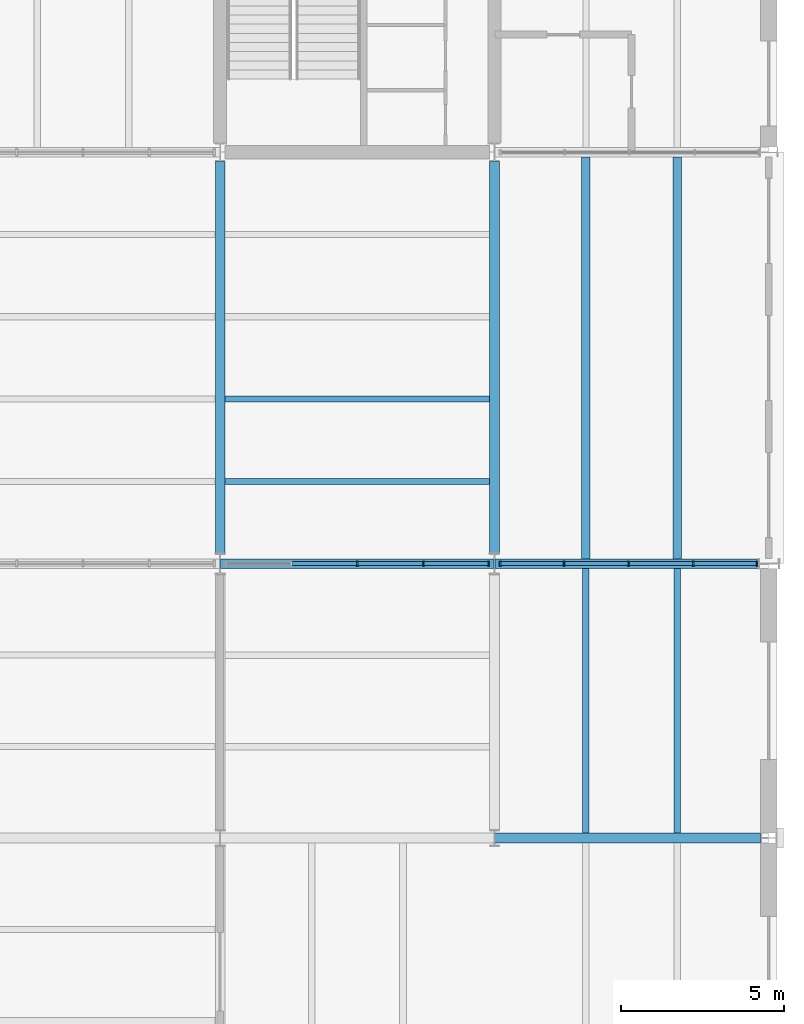
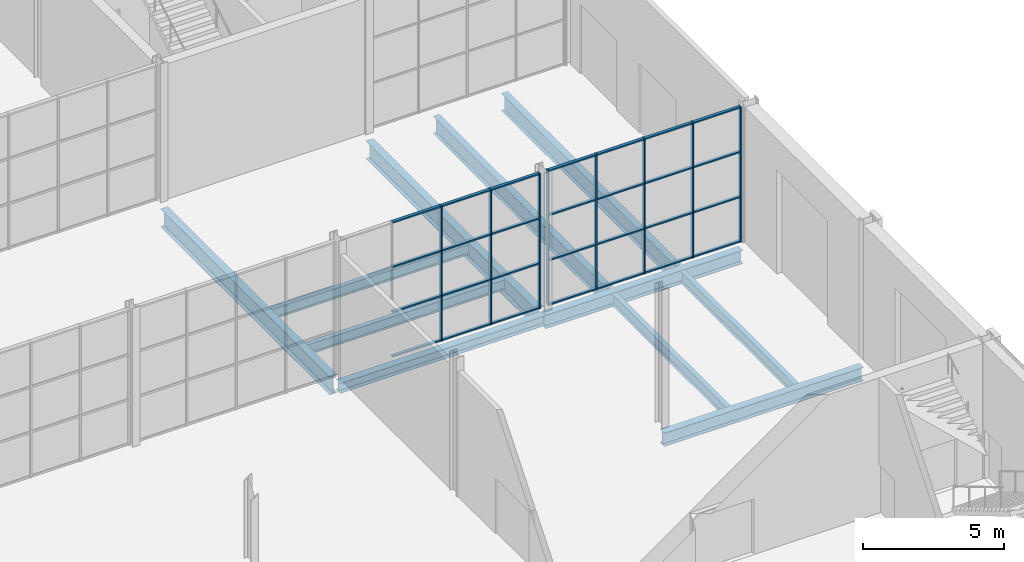
# One storey, part 22 of 55: 36 members, 11 beams, 2 elements without a shape of their own.
"""IFC4 building model written with IfcOpenShell, lengths in metres."""

from ifc_helpers import new_model, si_unit, direction, frame, origin, origin_2d, place, context, subcontext, project, spatial, rectangle, i_section, extrude, material, layer, layer_set, material_profile, profile_set, type_object, element, aggregate, save


model = new_model("IFC4")

# Units and contexts
model_context = context("Model", 3, precision=1e-05, world=origin(), true_north=direction((0.0, 1.0)))
body_context = subcontext(model_context, "Body", "Model", "MODEL_VIEW")
ifc_project = project(units=[si_unit("LENGTHUNIT", "METRE"), si_unit("AREAUNIT", "SQUARE_METRE"), si_unit("VOLUMEUNIT", "CUBIC_METRE"), si_unit("PLANEANGLEUNIT", "RADIAN"), si_unit("MASSUNIT", "GRAM", prefix="KILO")], contexts=[model_context])

# Site, building, storey
site_placement = place(None, origin())
site = spatial("IfcSite", under=ifc_project, at=site_placement, CompositionType="ELEMENT")
building_placement = place(site_placement, origin())
building = spatial("IfcBuilding", under=site, at=building_placement, Name="Galleria Vessillo Department Store", CompositionType="ELEMENT")
storey_placement = place(building_placement, origin())
storey = spatial("IfcBuildingStorey", under=building, at=storey_placement, Name="L00", CompositionType="ELEMENT", Elevation=0.0)

# Curtain wall, members
ifc_material_1 = material(Name="Aluminium and glass curtain wall", Category="aluminium")
ifc_layer = layer(ifc_material_1, 0.159912109375)
ifc_layer_set = layer_set([ifc_layer], Name="Aluminium and glass curtain wall")
curtain_wall_type = type_object("IfcCurtainWallType", Name="Arcade portal glazing CW2 2100 module", PredefinedType="NOTDEFINED", material=ifc_layer_set)
curtain_wall_1_placement = place(storey_placement, origin())
curtain_wall_1 = element("IfcCurtainWall", 1, at=curtain_wall_1_placement, inside=storey, type_object=curtain_wall_type, Name="Arcade portal glazing CW2 2100 module PW-E-S-L00-01", PredefinedType="NOTDEFINED")
ifc_material_2 = material(Name="Aluminium alloy 6063 T6", Category="aluminium")
ifc_material_profile_1 = material_profile(ifc_material_2, rectangle(XDim=0.159912109375, YDim=0.050048828125, at=origin_2d()), Name="AL 50x160")
ifc_profile_set_1 = profile_set([ifc_material_profile_1], Name="Aluminium alloy 6063 T6")
member_type_1 = type_object("IfcMemberType", Name="Aluminium mullion 50 x 160", PredefinedType="MULLION", material=ifc_profile_set_1)
member_1_placement = place(storey_placement, frame((105.0, 25.199951171875, 0.0), z_axis=(0.0, 0.0, 1.0), x_axis=(0.0, 1.0, 0.0)))
member_1 = element("IfcMember", 2, at=member_1_placement, type_object=member_type_1, Name="CW2 mullion 3", PredefinedType="MULLION", context=body_context, shape_type="SweptSolid", body=[
    extrude(rectangle(XDim=0.159912109375, YDim=0.050048828125, at=origin_2d()), origin(), (0.0, 0.0, 1.0), 5.85009765625),
])
member_2_placement = place(storey_placement, frame((107.023681640625, 25.199951171875, 0.0), z_axis=(0.0, 0.0, 1.0), x_axis=(0.0, 1.0, 0.0)))
member_2 = element("IfcMember", 3, at=member_2_placement, type_object=member_type_1, Name="CW2 mullion 4", PredefinedType="MULLION", context=body_context, shape_type="SweptSolid", body=[
    extrude(rectangle(XDim=0.159912109375, YDim=0.050048828125, at=origin_2d()), origin(), (0.0, 0.0, 1.0), 5.85009765625),
])
member_3_placement = place(storey_placement, frame((109.0224609375, 25.199951171875, 0.0), z_axis=(0.0, 0.0, 1.0), x_axis=(0.0, 1.0, 0.0)))
member_3 = element("IfcMember", 4, at=member_3_placement, type_object=member_type_1, Name="CW2 mullion 5", PredefinedType="MULLION", context=body_context, shape_type="SweptSolid", body=[
    extrude(rectangle(XDim=0.159912109375, YDim=0.050048828125, at=origin_2d()), origin(), (0.0, 0.0, 1.0), 5.85009765625),
])

curtain_wall_2_placement = place(storey_placement, origin())
curtain_wall_2 = element("IfcCurtainWall", 5, at=curtain_wall_2_placement, inside=storey, type_object=curtain_wall_type, Name="Arcade portal glazing CW2 2100 module PW-E-S-L00-02", PredefinedType="NOTDEFINED")
member_4_placement = place(storey_placement, frame((109.37744140625, 25.199951171875, 0.0), z_axis=(0.0, 0.0, 1.0), x_axis=(0.0, 1.0, 0.0)))
member_4 = element("IfcMember", 6, at=member_4_placement, type_object=member_type_1, Name="CW2 mullion 1", PredefinedType="MULLION", context=body_context, shape_type="SweptSolid", body=[
    extrude(rectangle(XDim=0.159912109375, YDim=0.050048828125, at=origin_2d()), origin(), (0.0, 0.0, 1.0), 5.85009765625),
])
member_5_placement = place(storey_placement, frame((111.330810546875, 25.199951171875, 0.0), z_axis=(0.0, 0.0, 1.0), x_axis=(0.0, 1.0, 0.0)))
member_5 = element("IfcMember", 7, at=member_5_placement, type_object=member_type_1, Name="CW2 mullion 2", PredefinedType="MULLION", context=body_context, shape_type="SweptSolid", body=[
    extrude(rectangle(XDim=0.159912109375, YDim=0.050048828125, at=origin_2d()), origin(), (0.0, 0.0, 1.0), 5.85009765625),
])
member_6_placement = place(storey_placement, frame((113.309326171875, 25.199951171875, 0.0), z_axis=(0.0, 0.0, 1.0), x_axis=(0.0, 1.0, 0.0)))
member_6 = element("IfcMember", 8, at=member_6_placement, type_object=member_type_1, Name="CW2 mullion 3", PredefinedType="MULLION", context=body_context, shape_type="SweptSolid", body=[
    extrude(rectangle(XDim=0.159912109375, YDim=0.050048828125, at=origin_2d()), origin(), (0.0, 0.0, 1.0), 5.85009765625),
])
member_7_placement = place(storey_placement, frame((115.28759765625, 25.199951171875, 0.0), z_axis=(0.0, 0.0, 1.0), x_axis=(0.0, 1.0, 0.0)))
member_7 = element("IfcMember", 9, at=member_7_placement, type_object=member_type_1, Name="CW2 mullion 4", PredefinedType="MULLION", context=body_context, shape_type="SweptSolid", body=[
    extrude(rectangle(XDim=0.159912109375, YDim=0.050048828125, at=origin_2d()), origin(), (0.0, 0.0, 1.0), 5.85009765625),
])
member_8_placement = place(storey_placement, frame((117.2412109375, 25.199951171875, 0.0), z_axis=(0.0, 0.0, 1.0), x_axis=(0.0, 1.0, 0.0)))
member_8 = element("IfcMember", 10, at=member_8_placement, type_object=member_type_1, Name="CW2 mullion 5", PredefinedType="MULLION", context=body_context, shape_type="SweptSolid", body=[
    extrude(rectangle(XDim=0.159912109375, YDim=0.050048828125, at=origin_2d()), origin(), (0.0, 0.0, 1.0), 5.85009765625),
])

# Member
ifc_material_3 = material(Name="Aluminium alloy 6063 T6", Category="aluminium")
ifc_material_profile_2 = material_profile(ifc_material_3, rectangle(XDim=0.1201171875, YDim=0.06005859375, at=origin_2d()), Name="AL 60x120")
ifc_profile_set_2 = profile_set([ifc_material_profile_2], Name="Aluminium alloy 6063 T6")
member_type_2 = type_object("IfcMemberType", Name="Aluminium transom 60 x 120", PredefinedType="USERDEFINED", material=ifc_profile_set_2)
member_9_placement = place(storey_placement, frame((103.001220703125, 25.199951171875, 0.030029296875), z_axis=(1.0, 0.0, 0.0), x_axis=(0.0, 1.0, 0.0)))
member_9 = element("IfcMember", 11, at=member_9_placement, type_object=member_type_2, Name="CW2 transom 2.1", ObjectType="TRANSOM", PredefinedType="USERDEFINED", context=body_context, shape_type="SweptSolid", body=[
    extrude(rectangle(XDim=0.1201171875, YDim=0.06005859375, at=origin_2d()), origin(), (0.0, 0.0, 1.0), 1.973876953125),
])

member_10_placement = place(storey_placement, frame((103.001220703125, 25.199951171875, 1.949951171875), z_axis=(1.0, 0.0, 0.0), x_axis=(0.0, 1.0, 0.0)))
member_10 = element("IfcMember", 12, at=member_10_placement, type_object=member_type_2, Name="CW2 transom 2.2", ObjectType="TRANSOM", PredefinedType="USERDEFINED", context=body_context, shape_type="SweptSolid", body=[
    extrude(rectangle(XDim=0.1201171875, YDim=0.06005859375, at=origin_2d()), origin(), (0.0, 0.0, 1.0), 1.973876953125),
])

member_11_placement = place(storey_placement, frame((103.001220703125, 25.199951171875, 3.900146484375), z_axis=(1.0, 0.0, 0.0), x_axis=(0.0, 1.0, 0.0)))
member_11 = element("IfcMember", 13, at=member_11_placement, type_object=member_type_2, Name="CW2 transom 2.3", ObjectType="TRANSOM", PredefinedType="USERDEFINED", context=body_context, shape_type="SweptSolid", body=[
    extrude(rectangle(XDim=0.1201171875, YDim=0.06005859375, at=origin_2d()), origin(), (0.0, 0.0, 1.0), 1.973876953125),
])

member_12_placement = place(storey_placement, frame((103.001220703125, 25.199951171875, 5.820068359375), z_axis=(1.0, 0.0, 0.0), x_axis=(0.0, 1.0, 0.0)))
member_12 = element("IfcMember", 14, at=member_12_placement, type_object=member_type_2, Name="CW2 transom 2.4", ObjectType="TRANSOM", PredefinedType="USERDEFINED", context=body_context, shape_type="SweptSolid", body=[
    extrude(rectangle(XDim=0.1201171875, YDim=0.06005859375, at=origin_2d()), origin(), (0.0, 0.0, 1.0), 1.973876953125),
])

member_13_placement = place(storey_placement, frame((105.02490234375, 25.199951171875, 0.030029296875), z_axis=(1.0, 0.0, 0.0), x_axis=(0.0, 1.0, 0.0)))
member_13 = element("IfcMember", 15, at=member_13_placement, type_object=member_type_2, Name="CW2 transom 3.1", ObjectType="TRANSOM", PredefinedType="USERDEFINED", context=body_context, shape_type="SweptSolid", body=[
    extrude(rectangle(XDim=0.1201171875, YDim=0.06005859375, at=origin_2d()), origin(), (0.0, 0.0, 1.0), 1.973876953125),
])

member_14_placement = place(storey_placement, frame((105.02490234375, 25.199951171875, 1.949951171875), z_axis=(1.0, 0.0, 0.0), x_axis=(0.0, 1.0, 0.0)))
member_14 = element("IfcMember", 16, at=member_14_placement, type_object=member_type_2, Name="CW2 transom 3.2", ObjectType="TRANSOM", PredefinedType="USERDEFINED", context=body_context, shape_type="SweptSolid", body=[
    extrude(rectangle(XDim=0.1201171875, YDim=0.06005859375, at=origin_2d()), origin(), (0.0, 0.0, 1.0), 1.973876953125),
])

member_15_placement = place(storey_placement, frame((105.02490234375, 25.199951171875, 3.900146484375), z_axis=(1.0, 0.0, 0.0), x_axis=(0.0, 1.0, 0.0)))
member_15 = element("IfcMember", 17, at=member_15_placement, type_object=member_type_2, Name="CW2 transom 3.3", ObjectType="TRANSOM", PredefinedType="USERDEFINED", context=body_context, shape_type="SweptSolid", body=[
    extrude(rectangle(XDim=0.1201171875, YDim=0.06005859375, at=origin_2d()), origin(), (0.0, 0.0, 1.0), 1.973876953125),
])

member_16_placement = place(storey_placement, frame((105.02490234375, 25.199951171875, 5.820068359375), z_axis=(1.0, 0.0, 0.0), x_axis=(0.0, 1.0, 0.0)))
member_16 = element("IfcMember", 18, at=member_16_placement, type_object=member_type_2, Name="CW2 transom 3.4", ObjectType="TRANSOM", PredefinedType="USERDEFINED", context=body_context, shape_type="SweptSolid", body=[
    extrude(rectangle(XDim=0.1201171875, YDim=0.06005859375, at=origin_2d()), origin(), (0.0, 0.0, 1.0), 1.973876953125),
])

member_17_placement = place(storey_placement, frame((107.048583984375, 25.199951171875, 0.030029296875), z_axis=(1.0, 0.0, 0.0), x_axis=(0.0, 1.0, 0.0)))
member_17 = element("IfcMember", 19, at=member_17_placement, type_object=member_type_2, Name="CW2 transom 4.1", ObjectType="TRANSOM", PredefinedType="USERDEFINED", context=body_context, shape_type="SweptSolid", body=[
    extrude(rectangle(XDim=0.1201171875, YDim=0.06005859375, at=origin_2d()), origin(), (0.0, 0.0, 1.0), 1.94873046875),
])

member_18_placement = place(storey_placement, frame((107.048583984375, 25.199951171875, 1.949951171875), z_axis=(1.0, 0.0, 0.0), x_axis=(0.0, 1.0, 0.0)))
member_18 = element("IfcMember", 20, at=member_18_placement, type_object=member_type_2, Name="CW2 transom 4.2", ObjectType="TRANSOM", PredefinedType="USERDEFINED", context=body_context, shape_type="SweptSolid", body=[
    extrude(rectangle(XDim=0.1201171875, YDim=0.06005859375, at=origin_2d()), origin(), (0.0, 0.0, 1.0), 1.94873046875),
])

member_19_placement = place(storey_placement, frame((107.048583984375, 25.199951171875, 3.900146484375), z_axis=(1.0, 0.0, 0.0), x_axis=(0.0, 1.0, 0.0)))
member_19 = element("IfcMember", 21, at=member_19_placement, type_object=member_type_2, Name="CW2 transom 4.3", ObjectType="TRANSOM", PredefinedType="USERDEFINED", context=body_context, shape_type="SweptSolid", body=[
    extrude(rectangle(XDim=0.1201171875, YDim=0.06005859375, at=origin_2d()), origin(), (0.0, 0.0, 1.0), 1.94873046875),
])

member_20_placement = place(storey_placement, frame((107.048583984375, 25.199951171875, 5.820068359375), z_axis=(1.0, 0.0, 0.0), x_axis=(0.0, 1.0, 0.0)))
member_20 = element("IfcMember", 22, at=member_20_placement, type_object=member_type_2, Name="CW2 transom 4.4", ObjectType="TRANSOM", PredefinedType="USERDEFINED", context=body_context, shape_type="SweptSolid", body=[
    extrude(rectangle(XDim=0.1201171875, YDim=0.06005859375, at=origin_2d()), origin(), (0.0, 0.0, 1.0), 1.94873046875),
])

aggregate(curtain_wall_1, [member_1, member_2, member_3, member_9, member_10, member_11, member_12, member_13, member_14, member_15, member_16, member_17, member_18, member_19, member_20])

member_21_placement = place(storey_placement, frame((109.402587890625, 25.199951171875, 0.030029296875), z_axis=(1.0, 0.0, 0.0), x_axis=(0.0, 1.0, 0.0)))
member_21 = element("IfcMember", 23, at=member_21_placement, type_object=member_type_2, Name="CW2 transom 1.1", ObjectType="TRANSOM", PredefinedType="USERDEFINED", context=body_context, shape_type="SweptSolid", body=[
    extrude(rectangle(XDim=0.1201171875, YDim=0.06005859375, at=origin_2d()), origin(), (0.0, 0.0, 1.0), 1.9033203125),
])

member_22_placement = place(storey_placement, frame((109.402587890625, 25.199951171875, 1.949951171875), z_axis=(1.0, 0.0, 0.0), x_axis=(0.0, 1.0, 0.0)))
member_22 = element("IfcMember", 24, at=member_22_placement, type_object=member_type_2, Name="CW2 transom 1.2", ObjectType="TRANSOM", PredefinedType="USERDEFINED", context=body_context, shape_type="SweptSolid", body=[
    extrude(rectangle(XDim=0.1201171875, YDim=0.06005859375, at=origin_2d()), origin(), (0.0, 0.0, 1.0), 1.9033203125),
])

member_23_placement = place(storey_placement, frame((109.402587890625, 25.199951171875, 3.900146484375), z_axis=(1.0, 0.0, 0.0), x_axis=(0.0, 1.0, 0.0)))
member_23 = element("IfcMember", 25, at=member_23_placement, type_object=member_type_2, Name="CW2 transom 1.3", ObjectType="TRANSOM", PredefinedType="USERDEFINED", context=body_context, shape_type="SweptSolid", body=[
    extrude(rectangle(XDim=0.1201171875, YDim=0.06005859375, at=origin_2d()), origin(), (0.0, 0.0, 1.0), 1.9033203125),
])

member_24_placement = place(storey_placement, frame((109.402587890625, 25.199951171875, 5.820068359375), z_axis=(1.0, 0.0, 0.0), x_axis=(0.0, 1.0, 0.0)))
member_24 = element("IfcMember", 26, at=member_24_placement, type_object=member_type_2, Name="CW2 transom 1.4", ObjectType="TRANSOM", PredefinedType="USERDEFINED", context=body_context, shape_type="SweptSolid", body=[
    extrude(rectangle(XDim=0.1201171875, YDim=0.06005859375, at=origin_2d()), origin(), (0.0, 0.0, 1.0), 1.9033203125),
])

member_25_placement = place(storey_placement, frame((111.35595703125, 25.199951171875, 0.030029296875), z_axis=(1.0, 0.0, 0.0), x_axis=(0.0, 1.0, 0.0)))
member_25 = element("IfcMember", 27, at=member_25_placement, type_object=member_type_2, Name="CW2 transom 2.1", ObjectType="TRANSOM", PredefinedType="USERDEFINED", context=body_context, shape_type="SweptSolid", body=[
    extrude(rectangle(XDim=0.1201171875, YDim=0.06005859375, at=origin_2d()), origin(), (0.0, 0.0, 1.0), 1.928466796875),
])

member_26_placement = place(storey_placement, frame((111.35595703125, 25.199951171875, 1.949951171875), z_axis=(1.0, 0.0, 0.0), x_axis=(0.0, 1.0, 0.0)))
member_26 = element("IfcMember", 28, at=member_26_placement, type_object=member_type_2, Name="CW2 transom 2.2", ObjectType="TRANSOM", PredefinedType="USERDEFINED", context=body_context, shape_type="SweptSolid", body=[
    extrude(rectangle(XDim=0.1201171875, YDim=0.06005859375, at=origin_2d()), origin(), (0.0, 0.0, 1.0), 1.928466796875),
])

member_27_placement = place(storey_placement, frame((111.35595703125, 25.199951171875, 3.900146484375), z_axis=(1.0, 0.0, 0.0), x_axis=(0.0, 1.0, 0.0)))
member_27 = element("IfcMember", 29, at=member_27_placement, type_object=member_type_2, Name="CW2 transom 2.3", ObjectType="TRANSOM", PredefinedType="USERDEFINED", context=body_context, shape_type="SweptSolid", body=[
    extrude(rectangle(XDim=0.1201171875, YDim=0.06005859375, at=origin_2d()), origin(), (0.0, 0.0, 1.0), 1.928466796875),
])

member_28_placement = place(storey_placement, frame((111.35595703125, 25.199951171875, 5.820068359375), z_axis=(1.0, 0.0, 0.0), x_axis=(0.0, 1.0, 0.0)))
member_28 = element("IfcMember", 30, at=member_28_placement, type_object=member_type_2, Name="CW2 transom 2.4", ObjectType="TRANSOM", PredefinedType="USERDEFINED", context=body_context, shape_type="SweptSolid", body=[
    extrude(rectangle(XDim=0.1201171875, YDim=0.06005859375, at=origin_2d()), origin(), (0.0, 0.0, 1.0), 1.928466796875),
])

member_29_placement = place(storey_placement, frame((113.334228515625, 25.199951171875, 0.030029296875), z_axis=(1.0, 0.0, 0.0), x_axis=(0.0, 1.0, 0.0)))
member_29 = element("IfcMember", 31, at=member_29_placement, type_object=member_type_2, Name="CW2 transom 3.1", ObjectType="TRANSOM", PredefinedType="USERDEFINED", context=body_context, shape_type="SweptSolid", body=[
    extrude(rectangle(XDim=0.1201171875, YDim=0.06005859375, at=origin_2d()), origin(), (0.0, 0.0, 1.0), 1.928466796875),
])

member_30_placement = place(storey_placement, frame((113.334228515625, 25.199951171875, 1.949951171875), z_axis=(1.0, 0.0, 0.0), x_axis=(0.0, 1.0, 0.0)))
member_30 = element("IfcMember", 32, at=member_30_placement, type_object=member_type_2, Name="CW2 transom 3.2", ObjectType="TRANSOM", PredefinedType="USERDEFINED", context=body_context, shape_type="SweptSolid", body=[
    extrude(rectangle(XDim=0.1201171875, YDim=0.06005859375, at=origin_2d()), origin(), (0.0, 0.0, 1.0), 1.928466796875),
])

member_31_placement = place(storey_placement, frame((113.334228515625, 25.199951171875, 3.900146484375), z_axis=(1.0, 0.0, 0.0), x_axis=(0.0, 1.0, 0.0)))
member_31 = element("IfcMember", 33, at=member_31_placement, type_object=member_type_2, Name="CW2 transom 3.3", ObjectType="TRANSOM", PredefinedType="USERDEFINED", context=body_context, shape_type="SweptSolid", body=[
    extrude(rectangle(XDim=0.1201171875, YDim=0.06005859375, at=origin_2d()), origin(), (0.0, 0.0, 1.0), 1.928466796875),
])

member_32_placement = place(storey_placement, frame((113.334228515625, 25.199951171875, 5.820068359375), z_axis=(1.0, 0.0, 0.0), x_axis=(0.0, 1.0, 0.0)))
member_32 = element("IfcMember", 34, at=member_32_placement, type_object=member_type_2, Name="CW2 transom 3.4", ObjectType="TRANSOM", PredefinedType="USERDEFINED", context=body_context, shape_type="SweptSolid", body=[
    extrude(rectangle(XDim=0.1201171875, YDim=0.06005859375, at=origin_2d()), origin(), (0.0, 0.0, 1.0), 1.928466796875),
])

member_33_placement = place(storey_placement, frame((115.312744140625, 25.199951171875, 0.030029296875), z_axis=(1.0, 0.0, 0.0), x_axis=(0.0, 1.0, 0.0)))
member_33 = element("IfcMember", 35, at=member_33_placement, type_object=member_type_2, Name="CW2 transom 4.1", ObjectType="TRANSOM", PredefinedType="USERDEFINED", context=body_context, shape_type="SweptSolid", body=[
    extrude(rectangle(XDim=0.1201171875, YDim=0.06005859375, at=origin_2d()), origin(), (0.0, 0.0, 1.0), 1.9033203125),
])

member_34_placement = place(storey_placement, frame((115.312744140625, 25.199951171875, 1.949951171875), z_axis=(1.0, 0.0, 0.0), x_axis=(0.0, 1.0, 0.0)))
member_34 = element("IfcMember", 36, at=member_34_placement, type_object=member_type_2, Name="CW2 transom 4.2", ObjectType="TRANSOM", PredefinedType="USERDEFINED", context=body_context, shape_type="SweptSolid", body=[
    extrude(rectangle(XDim=0.1201171875, YDim=0.06005859375, at=origin_2d()), origin(), (0.0, 0.0, 1.0), 1.9033203125),
])

member_35_placement = place(storey_placement, frame((115.312744140625, 25.199951171875, 3.900146484375), z_axis=(1.0, 0.0, 0.0), x_axis=(0.0, 1.0, 0.0)))
member_35 = element("IfcMember", 37, at=member_35_placement, type_object=member_type_2, Name="CW2 transom 4.3", ObjectType="TRANSOM", PredefinedType="USERDEFINED", context=body_context, shape_type="SweptSolid", body=[
    extrude(rectangle(XDim=0.1201171875, YDim=0.06005859375, at=origin_2d()), origin(), (0.0, 0.0, 1.0), 1.9033203125),
])

member_36_placement = place(storey_placement, frame((115.312744140625, 25.199951171875, 5.820068359375), z_axis=(1.0, 0.0, 0.0), x_axis=(0.0, 1.0, 0.0)))
member_36 = element("IfcMember", 38, at=member_36_placement, type_object=member_type_2, Name="CW2 transom 4.4", ObjectType="TRANSOM", PredefinedType="USERDEFINED", context=body_context, shape_type="SweptSolid", body=[
    extrude(rectangle(XDim=0.1201171875, YDim=0.06005859375, at=origin_2d()), origin(), (0.0, 0.0, 1.0), 1.9033203125),
])

aggregate(curtain_wall_2, [member_4, member_5, member_6, member_7, member_8, member_21, member_22, member_23, member_24, member_25, member_26, member_27, member_28, member_29, member_30, member_31, member_32, member_33, member_34, member_35, member_36])

# Beams
ifc_material_4 = material(Name="Steel S355 J2", Category="steel")
ifc_material_profile_3 = material_profile(ifc_material_4, i_section(OverallWidth=0.300048828125, OverallDepth=0.590087890625, WebThickness=0.012939453125, FlangeThickness=0.02490234375, FilletRadius=0.027099609375, at=origin_2d()), Name="HEA 600")
ifc_profile_set_3 = profile_set([ifc_material_profile_3], Name="Steel S355 J2")
beam_type_1 = type_object("IfcBeamType", Name="Floor girder HEA 600", PredefinedType="BEAM", material=ifc_profile_set_3)
beam_1_placement = place(storey_placement, frame((109.207275390625, 16.800048828125, -0.594970703125), z_axis=(1.0, 0.0, 0.0), x_axis=(0.0, 1.0, 0.0)))
element("IfcBeam", 39, at=beam_1_placement, inside=storey, type_object=beam_type_1, Name="S-BM-L00-GI-x16800-109207", PredefinedType="BEAM", context=body_context, shape_type="SweptSolid", body=[
    extrude(i_section(OverallWidth=0.300048828125, OverallDepth=0.590087890625, WebThickness=0.012939453125, FlangeThickness=0.02490234375, FilletRadius=0.027099609375, at=origin_2d()), origin(), (0.0, 0.0, 1.0), 8.142578125),
])
beam_2_placement = place(storey_placement, frame((109.210693359375, 25.199951171875, -0.594970703125), z_axis=(1.0, 0.0, 0.0), x_axis=(0.0, 1.0, 0.0)))
element("IfcBeam", 40, at=beam_2_placement, inside=storey, type_object=beam_type_1, Name="S-BM-L00-GI-x25200-109211", PredefinedType="BEAM", context=body_context, shape_type="SweptSolid", body=[
    extrude(i_section(OverallWidth=0.300048828125, OverallDepth=0.590087890625, WebThickness=0.012939453125, FlangeThickness=0.02490234375, FilletRadius=0.027099609375, at=origin_2d()), origin(), (0.0, 0.0, 1.0), 8.05517578125),
])
ifc_material_5 = material(Name="Steel S355 J2", Category="steel")
ifc_material_profile_4 = material_profile(ifc_material_5, i_section(OverallWidth=0.300048828125, OverallDepth=0.7900390625, WebThickness=0.014892578125, FlangeThickness=0.028076171875, FilletRadius=0.030029296875, at=origin_2d()), Name="HEA 800")
ifc_profile_set_4 = profile_set([ifc_material_profile_4], Name="Steel S355 J2")
beam_type_2 = type_object("IfcBeamType", Name="Floor girder HEA 800", PredefinedType="BEAM", material=ifc_profile_set_4)
for number, where, z_axis, x_axis, name in (
    (41, (100.800048828125, 25.5341796875, -0.64501953125), (0.0, 1.0, 0.0), (-1.0, 0.0, 0.0), "S-BM-L00-GI-y100800-25534"),
    (42, (109.199951171875, 25.5341796875, -0.64501953125), (0.0, 1.0, 0.0), (-1.0, 0.0, 0.0), "S-BM-L00-GI-y109200-25534"),
):
    element("IfcBeam", number, at=place(storey_placement, frame(where, z_axis=z_axis, x_axis=x_axis)), inside=storey, type_object=beam_type_2, Name=name, PredefinedType="BEAM", context=body_context, shape_type="SweptSolid", body=[
        extrude(i_section(OverallWidth=0.300048828125, OverallDepth=0.7900390625, WebThickness=0.014892578125, FlangeThickness=0.028076171875, FilletRadius=0.030029296875, at=origin_2d()), origin(), (0.0, 0.0, 1.0), 11.979736328125),
    ])
ifc_material_6 = material(Name="Steel S355 J2", Category="steel")
ifc_material_profile_5 = material_profile(ifc_material_6, i_section(OverallWidth=0.18994140625, OverallDepth=0.449951171875, WebThickness=0.009521484375, FlangeThickness=0.0146484375, FilletRadius=0.02099609375, at=origin_2d()), Name="IPE 450")
ifc_profile_set_5 = profile_set([ifc_material_profile_5], Name="Steel S355 J2")
beam_type_3 = type_object("IfcBeamType", Name="Floor joist IPE 450", PredefinedType="JOIST", material=ifc_profile_set_5)
for number, where, z_axis, x_axis, name in (
    (43, (100.9501953125, 27.719970703125, -0.47509765625), (1.0, 0.0, 0.0), (0.0, 1.0, 0.0), "S-BM-L00-JO-x27720-100950"),
    (44, (100.9501953125, 30.239990234375, -0.47509765625), (1.0, 0.0, 0.0), (0.0, 1.0, 0.0), "S-BM-L00-JO-x30240-100950"),
):
    element("IfcBeam", number, at=place(storey_placement, frame(where, z_axis=z_axis, x_axis=x_axis)), inside=storey, type_object=beam_type_3, Name=name, PredefinedType="JOIST", context=body_context, shape_type="SweptSolid", body=[
        extrude(i_section(OverallWidth=0.18994140625, OverallDepth=0.449951171875, WebThickness=0.009521484375, FlangeThickness=0.0146484375, FilletRadius=0.02099609375, at=origin_2d()), origin(), (0.0, 0.0, 1.0), 8.099609375),
    ])
ifc_material_7 = material(Name="Steel S355 J2", Category="steel")
ifc_material_profile_6 = material_profile(ifc_material_7, i_section(OverallWidth=0.199951171875, OverallDepth=0.5, WebThickness=0.01025390625, FlangeThickness=0.01611328125, FilletRadius=0.02099609375, at=origin_2d()), Name="IPE 500")
ifc_profile_set_6 = profile_set([ifc_material_profile_6], Name="Steel S355 J2")
beam_type_4 = type_object("IfcBeamType", Name="Floor joist IPE 500", PredefinedType="JOIST", material=ifc_profile_set_6)
for number, where, z_axis, x_axis, name in (
    (45, (112.0, 16.9501953125, -0.550048828125), (0.0, 1.0, 0.0), (-1.0, 0.0, 0.0), "S-BM-L00-JO-y112000-16950"),
    (46, (114.800048828125, 16.9501953125, -0.550048828125), (0.0, 1.0, 0.0), (-1.0, 0.0, 0.0), "S-BM-L00-JO-y114800-16950"),
):
    element("IfcBeam", number, at=place(storey_placement, frame(where, z_axis=z_axis, x_axis=x_axis)), inside=storey, type_object=beam_type_4, Name=name, PredefinedType="JOIST", context=body_context, shape_type="SweptSolid", body=[
        extrude(i_section(OverallWidth=0.199951171875, OverallDepth=0.5, WebThickness=0.01025390625, FlangeThickness=0.01611328125, FilletRadius=0.02099609375, at=origin_2d()), origin(), (0.0, 0.0, 1.0), 8.099609375),
    ])
ifc_material_8 = material(Name="Steel S355 J2", Category="steel")
ifc_material_profile_7 = material_profile(ifc_material_8, i_section(OverallWidth=0.264892578125, OverallDepth=0.7529296875, WebThickness=0.01318359375, FlangeThickness=0.01708984375, FilletRadius=0.01708984375, at=origin_2d()), Name="IPE 750x147")
ifc_profile_set_7 = profile_set([ifc_material_profile_7], Name="Steel S355 J2")
beam_type_5 = type_object("IfcBeamType", Name="Floor joist IPE 750x147", PredefinedType="JOIST", material=ifc_profile_set_7)
for number, where, z_axis, x_axis, name in (
    (47, (112.0, 25.35009765625, -0.62646484375), (0.0, 1.0, 0.0), (-1.0, 0.0, 0.0), "S-BM-L00-JO-y112000-25350"),
    (48, (114.800048828125, 25.35009765625, -0.62646484375), (0.0, 1.0, 0.0), (-1.0, 0.0, 0.0), "S-BM-L00-JO-y114800-25350"),
):
    element("IfcBeam", number, at=place(storey_placement, frame(where, z_axis=z_axis, x_axis=x_axis)), inside=storey, type_object=beam_type_5, Name=name, PredefinedType="JOIST", context=body_context, shape_type="SweptSolid", body=[
        extrude(i_section(OverallWidth=0.264892578125, OverallDepth=0.7529296875, WebThickness=0.01318359375, FlangeThickness=0.01708984375, FilletRadius=0.01708984375, at=origin_2d()), origin(), (0.0, 0.0, 1.0), 12.2998046875),
    ])
ifc_material_9 = material(Name="Steel S355 J2", Category="steel")
ifc_material_profile_8 = material_profile(ifc_material_9, i_section(OverallWidth=0.300048828125, OverallDepth=0.43994140625, WebThickness=0.011474609375, FlangeThickness=0.02099609375, FilletRadius=0.027099609375, at=origin_2d()), Name="HEA 450")
ifc_profile_set_8 = profile_set([ifc_material_profile_8], Name="Steel S355 J2")
beam_type_6 = type_object("IfcBeamType", Name="Floor tie girder HEA 450", PredefinedType="BEAM", material=ifc_profile_set_8)
beam_3_placement = place(storey_placement, frame((100.810546875, 25.199951171875, -0.52001953125), z_axis=(1.0, 0.0, 0.0), x_axis=(0.0, 1.0, 0.0)))
element("IfcBeam", 49, at=beam_3_placement, inside=storey, type_object=beam_type_6, Name="S-BM-L00-TI-x25200-100811", PredefinedType="BEAM", context=body_context, shape_type="SweptSolid", body=[
    extrude(i_section(OverallWidth=0.300048828125, OverallDepth=0.43994140625, WebThickness=0.011474609375, FlangeThickness=0.02099609375, FilletRadius=0.027099609375, at=origin_2d()), origin(), (0.0, 0.0, 1.0), 8.37890625),
])

save(model, "model.ifc")
